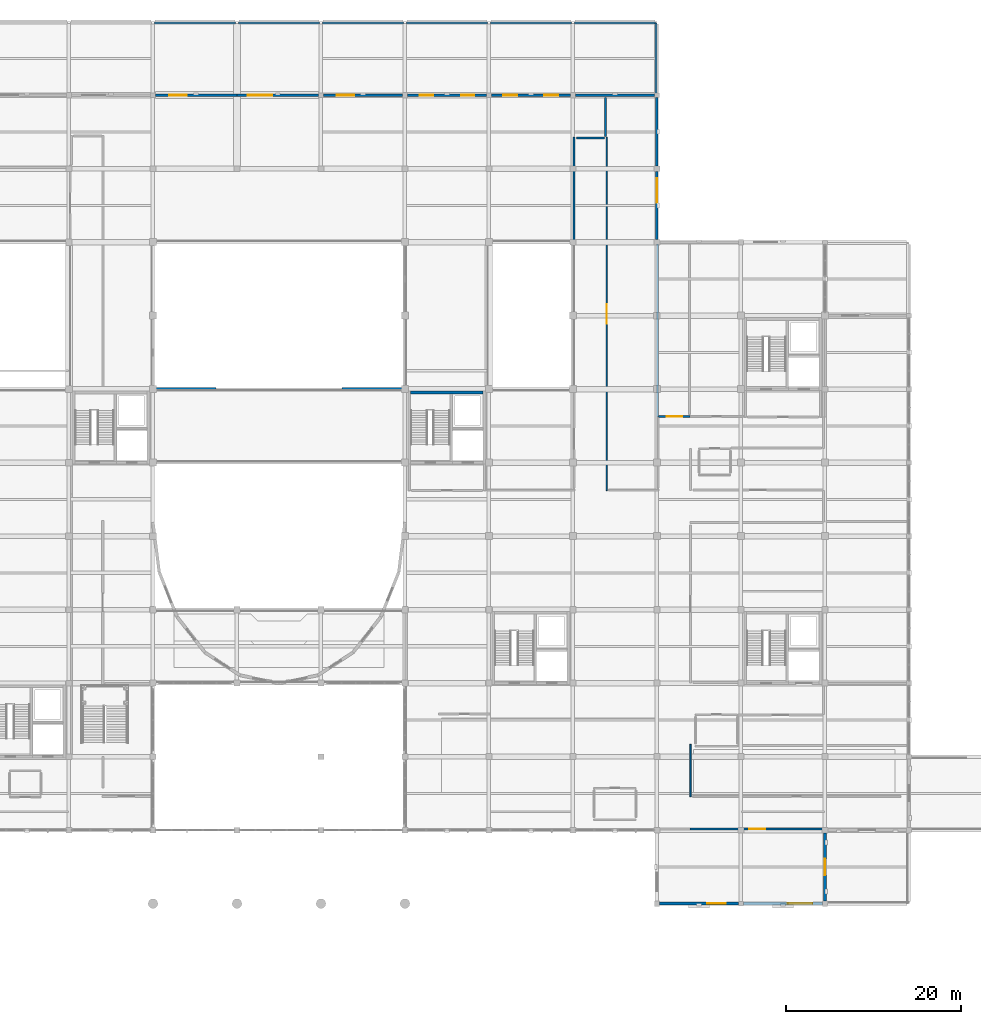
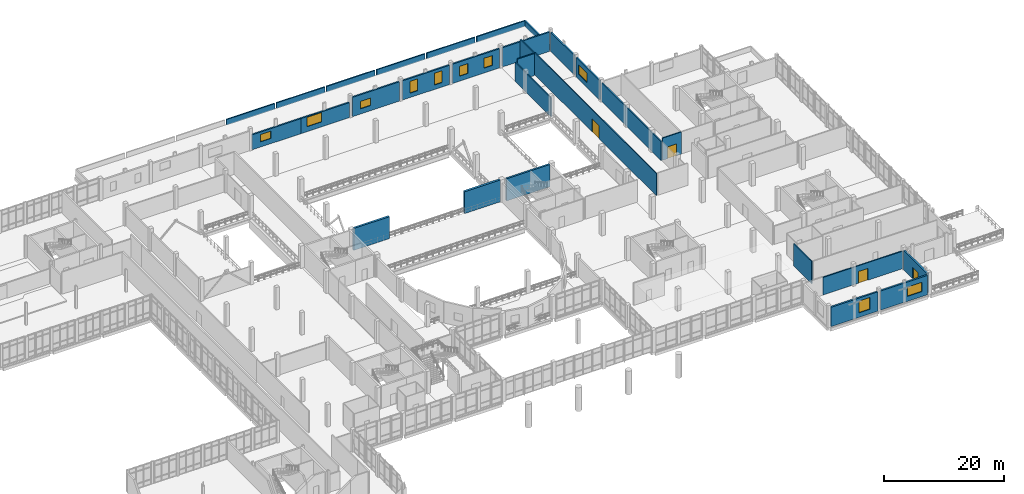
# One storey, part 92 of 102: 29 walls, 10 windows, 4 doors, 14 openings.
"""IFC4 building model written with IfcOpenShell, lengths in metres."""

from ifc_helpers import new_model, si_unit, direction, frame, frame_2d, origin, place, context, subcontext, project, spatial, rectangle, extrude, material, layer, layer_set, type_object, element, fill, save


model = new_model("IFC4")

# Units and contexts
model_context = context("Model", 3, precision=1e-05, world=origin(), true_north=direction((0.0, 1.0)))
body_context = subcontext(model_context, "Body", "Model", "MODEL_VIEW")
ifc_project = project(units=[si_unit("LENGTHUNIT", "METRE"), si_unit("AREAUNIT", "SQUARE_METRE"), si_unit("VOLUMEUNIT", "CUBIC_METRE"), si_unit("PLANEANGLEUNIT", "RADIAN"), si_unit("MASSUNIT", "GRAM", prefix="KILO")], contexts=[model_context])

# Site, building, storey
site_placement = place(None, origin())
site = spatial("IfcSite", under=ifc_project, at=site_placement, CompositionType="ELEMENT")
building_placement = place(site_placement, origin())
building = spatial("IfcBuilding", under=site, at=building_placement, Name="Lornevale Opera House", CompositionType="ELEMENT")
storey_placement = place(building_placement, frame((0.0, 0.0, 5.39990234375)))
storey = spatial("IfcBuildingStorey", under=building, at=storey_placement, Name="L02", CompositionType="ELEMENT", Elevation=5.39990234375)

# Wall, opening, window
ifc_material_1 = material(Name="Queenston Buff Limestone Ashlar Masonry (25 MPa)", Category="masonry")
ifc_layer_1 = layer(ifc_material_1, 0.324951171875)
ifc_layer_set_1 = layer_set([ifc_layer_1], Name="Queenston Buff Limestone Ashlar Masonry (25 MPa)")
wall_type_1 = type_object("IfcWallType", Name="Backstage Limestone Facade Wall 325", PredefinedType="SOLIDWALL", material=ifc_layer_set_1)
wall_1_placement = place(storey_placement, frame((134.125, 8.39990234375, 0.0), z_axis=(0.0, 0.0, 1.0), x_axis=(-1.0, 0.0, 0.0)))
wall_1 = element("IfcWall", 1, at=wall_1_placement, inside=storey, type_object=wall_type_1, Name="Backstage Limestone Facade Wall 325 WL-EXT-0209", PredefinedType="SOLIDWALL", context=body_context, shape_type="SweptSolid", body=[
    extrude(rectangle(XDim=9.02490234375, YDim=0.324951171875, at=frame_2d((4.512451171875, 0.0))), origin(), (0.0, 0.0, 1.0), 3.91015625),
])
opening_1_placement = place(wall_1_placement, frame((1.47705078125, 0.0, 0.89990234375)))
opening_1 = element("IfcOpeningElement", 2, at=opening_1_placement, cuts=wall_1, Name="Opening WN-T04", PredefinedType="OPENING", context=body_context, shape_type="SweptSolid", body=[
    extrude(rectangle(XDim=2.10009765625, YDim=2.39990234375, at=frame_2d((1.050048828125, 1.199951171875))), frame((0.0, 0.17236328125, 0.0), z_axis=(0.0, -1.0, 0.0), x_axis=(1.0, 0.0, 0.0)), (0.0, 0.0, 1.0), 0.344970703125),
])
ifc_material_2 = material(Name="Triple Low-E Insulated Glazing", Category="glass")
ifc_layer_2 = layer(ifc_material_2, 0.06005859375)
ifc_layer_set_2 = layer_set([ifc_layer_2], Name="Triple Low-E Insulated Glazing")
window_type_1 = type_object("IfcWindowType", Name="Punched Deep-Reveal Window 2100x2400", PartitioningType="NOTDEFINED", PredefinedType="WINDOW", material=ifc_layer_set_2)
window_1_placement = place(opening_1_placement, origin())
window_1 = element("IfcWindow", 3, at=window_1_placement, inside=storey, type_object=window_type_1, Name="Punched Deep-Reveal Window 2100x2400 WN-0056", OverallHeight=2.39990234375, OverallWidth=2.10009765625, PartitioningType="SINGLE_PANEL", PredefinedType="WINDOW", context=body_context, shape_type="SweptSolid", body=[
    extrude(rectangle(XDim=2.10009765625, YDim=2.39990234375, at=frame_2d((1.050048828125, 1.199951171875))), frame((0.0, 0.030029296875, 0.0), z_axis=(0.0, -1.0, 0.0), x_axis=(1.0, 0.0, 0.0)), (0.0, 0.0, 1.0), 0.06005859375),
])
fill(opening_1, window_1)

wall_2_placement = place(storey_placement, frame((143.699951171875, 8.39990234375, 0.0), z_axis=(0.0, 0.0, 1.0), x_axis=(-1.0, 0.0, 0.0)))
wall_2 = element("IfcWall", 4, at=wall_2_placement, inside=storey, type_object=wall_type_1, Name="Backstage Limestone Facade Wall 325 WL-EXT-0212", PredefinedType="SOLIDWALL", context=body_context, shape_type="SweptSolid", body=[
    extrude(rectangle(XDim=9.02490234375, YDim=0.324951171875, at=frame_2d((4.512451171875, 0.0))), origin(), (0.0, 0.0, 1.0), 3.91015625),
])
opening_2_placement = place(wall_2_placement, frame((1.126953125, 0.0, 1.0)))
opening_2 = element("IfcOpeningElement", 5, at=opening_2_placement, cuts=wall_2, Name="Opening WN-T09", PredefinedType="OPENING", context=body_context, shape_type="SweptSolid", body=[
    extrude(rectangle(XDim=2.800048828125, YDim=1.89990234375, at=frame_2d((1.39990234375, 0.949951171875))), frame((0.0, 0.17236328125, 0.0), z_axis=(0.0, -1.0, 0.0), x_axis=(1.0, 0.0, 0.0)), (0.0, 0.0, 1.0), 0.344970703125),
])
ifc_layer_3 = layer(ifc_material_2, 0.06005859375)
ifc_layer_set_3 = layer_set([ifc_layer_3], Name="Triple Low-E Insulated Glazing")
window_type_2 = type_object("IfcWindowType", Name="Administration Ribbon Window 2800x1900", PartitioningType="NOTDEFINED", PredefinedType="WINDOW", material=ifc_layer_set_3)
window_2_placement = place(opening_2_placement, origin())
window_2 = element("IfcWindow", 6, at=window_2_placement, inside=storey, type_object=window_type_2, Name="Administration Ribbon Window 2800x1900 WN-0058", OverallHeight=1.89990234375, OverallWidth=2.800048828125, PartitioningType="SINGLE_PANEL", PredefinedType="WINDOW", context=body_context, shape_type="SweptSolid", body=[
    extrude(rectangle(XDim=2.800048828125, YDim=1.89990234375, at=frame_2d((1.39990234375, 0.949951171875))), frame((0.0, 0.030029296875, 0.0), z_axis=(0.0, -1.0, 0.0), x_axis=(1.0, 0.0, 0.0)), (0.0, 0.0, 1.0), 0.06005859375),
])
fill(opening_2, window_2)

# Wall, opening, door
wall_3_placement = place(storey_placement, frame((144.0, 16.47509765625, 0.0), z_axis=(0.0, 0.0, 1.0), x_axis=(0.0, -1.0, 0.0)))
wall_3 = element("IfcWall", 7, at=wall_3_placement, inside=storey, type_object=wall_type_1, Name="Backstage Limestone Facade Wall 325 WL-EXT-0213", PredefinedType="SOLIDWALL", context=body_context, shape_type="SweptSolid", body=[
    extrude(rectangle(XDim=7.775146484375, YDim=0.324951171875, at=frame_2d((3.8876953125, 0.0))), origin(), (0.0, 0.0, 1.0), 3.91015625),
])
opening_3_placement = place(wall_3_placement, frame((2.962890625, 0.0, 0.0)))
opening_3 = element("IfcOpeningElement", 8, at=opening_3_placement, cuts=wall_3, Name="Opening DR-T03", PredefinedType="OPENING", context=body_context, shape_type="SweptSolid", body=[
    extrude(rectangle(XDim=1.85009765625, YDim=2.300048828125, at=frame_2d((0.925048828125, 1.14990234375))), frame((0.0, 0.17236328125, 0.0), z_axis=(0.0, -1.0, 0.0), x_axis=(1.0, 0.0, 0.0)), (0.0, 0.0, 1.0), 0.344970703125),
])
ifc_material_3 = material(Name="Anodized Oxide-Green Aluminium Framing", Category="aluminium")
ifc_layer_4 = layer(ifc_material_3, 0.050048828125)
ifc_layer_set_4 = layer_set([ifc_layer_4], Name="Anodized Oxide-Green Aluminium Framing")
door_type_1 = type_object("IfcDoorType", Name="Escarpment Terrace Double Door 1850x2300", OperationType="NOTDEFINED", PredefinedType="DOOR", material=ifc_layer_set_4)
door_1_placement = place(opening_3_placement, origin())
door_1 = element("IfcDoor", 9, at=door_1_placement, inside=storey, type_object=door_type_1, Name="Escarpment Terrace Double Door 1850x2300 DR-EXT-036", OperationType="DOUBLE_DOOR_SINGLE_SWING", OverallHeight=2.300048828125, OverallWidth=1.85009765625, PredefinedType="DOOR", context=body_context, shape_type="SweptSolid", body=[
    extrude(rectangle(XDim=1.85009765625, YDim=2.300048828125, at=frame_2d((0.925048828125, 1.14990234375))), frame((0.0, 0.02490234375, 0.0), z_axis=(0.0, -1.0, 0.0), x_axis=(1.0, 0.0, 0.0)), (0.0, 0.0, 1.0), 0.050048828125),
])
fill(opening_3, door_1)

# Wall
ifc_material_4 = material(Name="Concrete 40 MPa (CSA A23.1 C-1)", Category="concrete")
ifc_layer_5 = layer(ifc_material_4, 0.320068359375)
ifc_layer_set_5 = layer_set([ifc_layer_5], Name="Concrete 40 MPa (CSA A23.1 C-1)")
wall_type_2 = type_object("IfcWallType", Name="Core Shear Wall 320", PredefinedType="SHEAR", material=ifc_layer_set_5)
wall_4_placement = place(storey_placement, frame((104.93994140625, 66.840087890625, 0.0), z_axis=(0.0, 0.0, 1.0), x_axis=(-1.0, 0.0, 0.0)))
element("IfcWall", 10, at=wall_4_placement, inside=storey, type_object=wall_type_2, Name="Stagehouse Firefighter Core West Core Shear Wall 320 WL-COR-0220", PredefinedType="SHEAR", context=body_context, shape_type="SweptSolid", body=[
    extrude(rectangle(XDim=8.280029296875, YDim=0.320068359375, at=frame_2d((4.14013671875, 0.0))), origin(), (0.0, 0.0, 1.0), 4.52001953125),
])

# Wall, opening, door
ifc_material_5 = material(Name="Acoustic Mineral-Core Gypsum Partition", Category="gypsum")
ifc_layer_6 = layer(ifc_material_5, 0.1650390625)
ifc_layer_set_6 = layer_set([ifc_layer_6], Name="Acoustic Mineral-Core Gypsum Partition")
wall_type_3 = type_object("IfcWallType", Name="Corridor Rated Partition 165", PredefinedType="PARTITIONING", material=ifc_layer_set_6)
wall_5_placement = place(storey_placement, frame((119.06005859375, 55.60009765625, 0.0), z_axis=(0.0, 0.0, 1.0), x_axis=(0.0, 1.0, 0.0)))
wall_5 = element("IfcWall", 11, at=wall_5_placement, inside=storey, type_object=wall_type_3, Name="L02 Partition WL-INT-0776", PredefinedType="PARTITIONING", context=body_context, shape_type="SweptSolid", body=[
    extrude(rectangle(XDim=40.39990234375, YDim=0.1650390625, at=frame_2d((20.199951171875, 0.0))), origin(), (0.0, 0.0, 1.0), 4.47998046875),
])
opening_4_placement = place(wall_5_placement, frame((19.10009765625, 0.0, 0.0)))
opening_4 = element("IfcOpeningElement", 12, at=opening_4_placement, cuts=wall_5, Name="Opening DR-T17", PredefinedType="OPENING", context=body_context, shape_type="SweptSolid", body=[
    extrude(rectangle(XDim=2.199951171875, YDim=2.60009765625, at=frame_2d((1.10009765625, 1.300048828125))), frame((0.0, 0.092529296875, 0.0), z_axis=(0.0, -1.0, 0.0), x_axis=(1.0, 0.0, 0.0)), (0.0, 0.0, 1.0), 0.18505859375),
])
ifc_material_6 = material(Name="Painted Hollow Metal Door Steel", Category="steel")
ifc_layer_7 = layer(ifc_material_6, 2.60009765625)
ifc_layer_set_7 = layer_set([ifc_layer_7], Name="Painted Hollow Metal Door Steel")
door_type_2 = type_object("IfcDoorType", Name="Workshop Acoustic Pair 2200x2600", OperationType="NOTDEFINED", PredefinedType="DOOR", material=ifc_layer_set_7)
door_2_placement = place(opening_4_placement, origin())
door_2 = element("IfcDoor", 13, at=door_2_placement, inside=storey, type_object=door_type_2, Name="Paint Frame Workshop Gallery Door", OperationType="DOUBLE_SWING_LEFT", OverallHeight=2.60009765625, OverallWidth=2.199951171875, PredefinedType="DOOR", context=body_context, shape_type="SweptSolid", body=[
    extrude(rectangle(XDim=2.199951171875, YDim=2.60009765625, at=frame_2d((1.10009765625, 1.300048828125))), frame((0.0, 0.02490234375, 0.0), z_axis=(0.0, -1.0, 0.0), x_axis=(1.0, 0.0, 0.0)), (0.0, 0.0, 1.0), 0.050048828125),
])
fill(opening_4, door_2)

# Walls
wall_6_placement = place(storey_placement, frame((128.659912109375, 20.60009765625, 0.0), z_axis=(0.0, 0.0, 1.0), x_axis=(0.0, 1.0, 0.0)))
element("IfcWall", 14, at=wall_6_placement, inside=storey, type_object=wall_type_3, Name="L02 Partition WL-INT-0779", PredefinedType="PARTITIONING", context=body_context, shape_type="SweptSolid", body=[
    extrude(rectangle(XDim=6.0, YDim=0.1650390625, at=frame_2d((3.0, 0.0))), origin(), (0.0, 0.0, 1.0), 4.47998046875),
])
ifc_layer_8 = layer(ifc_material_4, 0.39990234375)
ifc_layer_set_8 = layer_set([ifc_layer_8], Name="Concrete 40 MPa (CSA A23.1 C-1)")
wall_type_4 = type_object("IfcWallType", Name="Proscenium Fire Wall 400", PredefinedType="SOLIDWALL", material=ifc_layer_set_8)
for number, where, z_axis, x_axis, name in (
    (15, (67.550048828125, 67.199951171875, 0.0), (0.0, 0.0, 1.0), (1.0, 0.0, 0.0), "Proscenium Fire Wall L02 0368"),
    (16, (88.800048828125, 67.199951171875, 0.0), (0.0, 0.0, 1.0), (1.0, 0.0, 0.0), "Proscenium Fire Wall L02 0369"),
):
    element("IfcWall", number, at=place(storey_placement, frame(where, z_axis=z_axis, x_axis=x_axis)), inside=storey, type_object=wall_type_4, Name=name, PredefinedType="SOLIDWALL", context=body_context, shape_type="SweptSolid", body=[
        extrude(rectangle(XDim=6.849853515625, YDim=0.39990234375, at=frame_2d((3.4248046875, 0.0))), origin(), (0.0, 0.0, 1.0), 4.440185546875),
    ])
ifc_layer_9 = layer(ifc_material_5, 0.22998046875)
ifc_layer_set_9 = layer_set([ifc_layer_9], Name="Acoustic Mineral-Core Gypsum Partition")
wall_type_5 = type_object("IfcWallType", Name="Rehearsal Studio Acoustic Wall 230", PredefinedType="SOLIDWALL", material=ifc_layer_set_9)
wall_7_placement = place(storey_placement, frame((115.340087890625, 84.091064453125, 0.0), z_axis=(0.0, 0.0, 1.0), x_axis=(0.0, 1.0, 0.0)))
element("IfcWall", 17, at=wall_7_placement, inside=storey, type_object=wall_type_5, Name="L02 Partition WL-INT-0785", PredefinedType="SOLIDWALL", context=body_context, shape_type="SweptSolid", body=[
    extrude(rectangle(XDim=11.908935546875, YDim=0.22998046875, at=frame_2d((5.95458984375, 0.0))), origin(), (0.0, 0.0, 1.0), 3.81005859375),
])
wall_8_placement = place(storey_placement, frame((115.590087890625, 95.93994140625, 0.0), z_axis=(0.0, 0.0, 1.0), x_axis=(1.0, 0.0, 0.0)))
element("IfcWall", 18, at=wall_8_placement, inside=storey, type_object=wall_type_5, Name="L02 Partition WL-INT-0786", PredefinedType="SOLIDWALL", context=body_context, shape_type="SweptSolid", body=[
    extrude(rectangle(XDim=3.219970703125, YDim=0.22998046875, at=frame_2d((1.60986328125, 0.0))), origin(), (0.0, 0.0, 1.0), 4.47998046875),
])

# Wall, opening, door
wall_9_placement = place(storey_placement, frame((128.60009765625, 16.93994140625, 0.0), z_axis=(0.0, 0.0, 1.0), x_axis=(1.0, 0.0, 0.0)))
wall_9 = element("IfcWall", 19, at=wall_9_placement, inside=storey, type_object=wall_type_5, Name="L02 Partition WL-INT-0792", PredefinedType="SOLIDWALL", context=body_context, shape_type="SweptSolid", body=[
    extrude(rectangle(XDim=15.308837890625, YDim=0.22998046875, at=frame_2d((7.654296875, 0.0))), origin(), (0.0, 0.0, 1.0), 3.56005859375),
])
opening_5_placement = place(wall_9_placement, frame((6.75390625, 0.0, 0.0)))
opening_5 = element("IfcOpeningElement", 20, at=opening_5_placement, cuts=wall_9, Name="Opening DR-T18", PredefinedType="OPENING", context=body_context, shape_type="SweptSolid", body=[
    extrude(rectangle(XDim=1.800048828125, YDim=2.39990234375, at=frame_2d((0.89990234375, 1.199951171875))), frame((0.0, 0.125, 0.0), z_axis=(0.0, -1.0, 0.0), x_axis=(1.0, 0.0, 0.0)), (0.0, 0.0, 1.0), 0.25),
])
ifc_material_7 = material(Name="White Oak Acoustic Panelling", Category="wood")
ifc_layer_10 = layer(ifc_material_7, 2.39990234375)
ifc_layer_set_10 = layer_set([ifc_layer_10], Name="White Oak Acoustic Panelling")
door_type_3 = type_object("IfcDoorType", Name="Rehearsal Studio Pair 1800x2400", OperationType="NOTDEFINED", PredefinedType="DOOR", material=ifc_layer_set_10)
door_3_placement = place(opening_5_placement, origin())
door_3 = element("IfcDoor", 21, at=door_3_placement, inside=storey, type_object=door_type_3, Name="Artist Ensemble Rehearsal Lounge Door", OperationType="DOUBLE_SWING_LEFT", OverallHeight=2.39990234375, OverallWidth=1.800048828125, PredefinedType="DOOR", context=body_context, shape_type="SweptSolid", body=[
    extrude(rectangle(XDim=1.800048828125, YDim=2.39990234375, at=frame_2d((0.89990234375, 1.199951171875))), frame((0.0, 0.02490234375, 0.0), z_axis=(0.0, -1.0, 0.0), x_axis=(1.0, 0.0, 0.0)), (0.0, 0.0, 1.0), 0.050048828125),
])
fill(opening_5, door_3)

wall_10_placement = place(storey_placement, frame((125.0, 64.06005859375, 0.0), z_axis=(0.0, 0.0, 1.0), x_axis=(1.0, 0.0, 0.0)))
wall_10 = element("IfcWall", 22, at=wall_10_placement, inside=storey, type_object=wall_type_5, Name="L02 Partition WL-INT-0796", PredefinedType="SOLIDWALL", context=body_context, shape_type="SweptSolid", body=[
    extrude(rectangle(XDim=3.60009765625, YDim=0.22998046875, at=frame_2d((1.800048828125, 0.0))), origin(), (0.0, 0.0, 1.0), 4.47998046875),
])
opening_6_placement = place(wall_10_placement, frame((0.89990234375, 0.0, 0.0)))
opening_6 = element("IfcOpeningElement", 23, at=opening_6_placement, cuts=wall_10, Name="Opening DR-T18", PredefinedType="OPENING", context=body_context, shape_type="SweptSolid", body=[
    extrude(rectangle(XDim=1.800048828125, YDim=2.39990234375, at=frame_2d((0.89990234375, 1.199951171875))), frame((0.0, 0.125, 0.0), z_axis=(0.0, -1.0, 0.0), x_axis=(1.0, 0.0, 0.0)), (0.0, 0.0, 1.0), 0.25),
])
door_4_placement = place(opening_6_placement, origin())
door_4 = element("IfcDoor", 24, at=door_4_placement, inside=storey, type_object=door_type_3, Name="Artist Ensemble Rehearsal Lounge Door", OperationType="DOUBLE_SWING_LEFT", OverallHeight=2.39990234375, OverallWidth=1.800048828125, PredefinedType="DOOR", context=body_context, shape_type="SweptSolid", body=[
    extrude(rectangle(XDim=1.800048828125, YDim=2.39990234375, at=frame_2d((0.89990234375, 1.199951171875))), frame((0.0, 0.02490234375, 0.0), z_axis=(0.0, -1.0, 0.0), x_axis=(1.0, 0.0, 0.0)), (0.0, 0.0, 1.0), 0.050048828125),
])
fill(opening_6, door_4)

# Walls
wall_11_placement = place(storey_placement, frame((118.93994140625, 96.06005859375, 0.0), z_axis=(0.0, 0.0, 1.0), x_axis=(0.0, 1.0, 0.0)))
element("IfcWall", 25, at=wall_11_placement, inside=storey, type_object=wall_type_5, Name="L02 Partition WL-INT-0808", PredefinedType="SOLIDWALL", context=body_context, shape_type="SweptSolid", body=[
    extrude(rectangle(XDim=4.489990234375, YDim=0.22998046875, at=frame_2d((2.2451171875, 0.0))), origin(), (0.0, 0.0, 1.0), 4.47998046875),
])
wall_12_placement = place(storey_placement, frame((124.860107421875, 64.0, 0.0), z_axis=(0.0, 0.0, 1.0), x_axis=(0.0, 1.0, 0.0)))
element("IfcWall", 26, at=wall_12_placement, inside=storey, type_object=wall_type_5, Name="L02 Partition WL-INT-0809", PredefinedType="SOLIDWALL", context=body_context, shape_type="SweptSolid", body=[
    extrude(rectangle(XDim=19.780029296875, YDim=0.22998046875, at=frame_2d((9.89013671875, 0.0))), origin(), (0.0, 0.0, 1.0), 3.81005859375),
])
ifc_layer_11 = layer(ifc_material_1, 0.239990234375)
ifc_layer_set_11 = layer_set([ifc_layer_11], Name="Queenston Buff Limestone Ashlar Masonry (25 MPa)")
wall_type_6 = type_object("IfcWallType", Name="Stone Coped Parapet Wall 240", PredefinedType="PARAPET", material=ifc_layer_set_11)
wall_13_placement = place(storey_placement, frame((67.360107421875, 109.070068359375, 0.0), z_axis=(0.0, 0.0, 1.0), x_axis=(1.0, 0.0, 0.0)))
element("IfcWall", 27, at=wall_13_placement, inside=storey, type_object=wall_type_6, Name="Stone Coped Parapet Wall 240 0389", PredefinedType="PARAPET", context=body_context, shape_type="SweptSolid", body=[
    extrude(rectangle(XDim=9.27978515625, YDim=0.239990234375, at=frame_2d((4.639892578125, 0.0))), origin(), (0.0, 0.0, 1.0), 1.150146484375),
])
for number, where, z_axis, x_axis, name in (
    (28, (76.9599609375, 109.070068359375, 0.0), (0.0, 0.0, 1.0), (1.0, 0.0, 0.0), "Stone Coped Parapet Wall 240 0390"),
    (29, (86.56005859375, 109.070068359375, 0.0), (0.0, 0.0, 1.0), (1.0, 0.0, 0.0), "Stone Coped Parapet Wall 240 0391"),
    (30, (96.159912109375, 109.070068359375, 0.0), (0.0, 0.0, 1.0), (1.0, 0.0, 0.0), "Stone Coped Parapet Wall 240 0392"),
    (31, (105.760009765625, 109.070068359375, 0.0), (0.0, 0.0, 1.0), (1.0, 0.0, 0.0), "Stone Coped Parapet Wall 240 0393"),
):
    element("IfcWall", number, at=place(storey_placement, frame(where, z_axis=z_axis, x_axis=x_axis)), inside=storey, type_object=wall_type_6, Name=name, PredefinedType="PARAPET", context=body_context, shape_type="SweptSolid", body=[
        extrude(rectangle(XDim=9.280029296875, YDim=0.239990234375, at=frame_2d((4.64013671875, 0.0))), origin(), (0.0, 0.0, 1.0), 1.150146484375),
    ])
wall_14_placement = place(storey_placement, frame((115.360107421875, 109.070068359375, 0.0), z_axis=(0.0, 0.0, 1.0), x_axis=(1.0, 0.0, 0.0)))
element("IfcWall", 32, at=wall_14_placement, inside=storey, type_object=wall_type_6, Name="Stone Coped Parapet Wall 240 0394", PredefinedType="PARAPET", context=body_context, shape_type="SweptSolid", body=[
    extrude(rectangle(XDim=9.27978515625, YDim=0.239990234375, at=frame_2d((4.639892578125, 0.0))), origin(), (0.0, 0.0, 1.0), 1.150146484375),
])
wall_15_placement = place(storey_placement, frame((124.669921875, 109.0400390625, 0.0), z_axis=(0.0, 0.0, 1.0), x_axis=(0.0, -1.0, 0.0)))
element("IfcWall", 33, at=wall_15_placement, inside=storey, type_object=wall_type_6, Name="Stone Coped Parapet Wall 240 0395", PredefinedType="PARAPET", context=body_context, shape_type="SweptSolid", body=[
    extrude(rectangle(XDim=8.080078125, YDim=0.239990234375, at=frame_2d((4.0400390625, 0.0))), origin(), (0.0, 0.0, 1.0), 1.150146484375),
])

# Wall, opening, window
ifc_material_8 = material(Name="Precast Concrete 40 MPa (CSA A23.1 C-1)", Category="concrete")
ifc_layer_12 = layer(ifc_material_8, 0.2900390625)
ifc_layer_set_12 = layer_set([ifc_layer_12], Name="Precast Concrete 40 MPa (CSA A23.1 C-1)")
wall_type_7 = type_object("IfcWallType", Name="Workshop Insulated Precast Wall 290", PredefinedType="SOLIDWALL", material=ifc_layer_set_12)
wall_16_placement = place(storey_placement, frame((67.47509765625, 100.800048828125, 0.0), z_axis=(0.0, 0.0, 1.0), x_axis=(1.0, 0.0, 0.0)))
wall_16 = element("IfcWall", 34, at=wall_16_placement, inside=storey, type_object=wall_type_7, Name="Workshop Insulated Precast Wall 290 WL-EXT-0201", PredefinedType="SOLIDWALL", context=body_context, shape_type="SweptSolid", body=[
    extrude(rectangle(XDim=9.31982421875, YDim=0.2900390625, at=frame_2d((4.659912109375, 0.0))), origin(), (0.0, 0.0, 1.0), 3.06005859375),
])
opening_7_placement = place(wall_16_placement, frame((1.610107421875, 0.0, 1.050048828125)))
opening_7 = element("IfcOpeningElement", 35, at=opening_7_placement, cuts=wall_16, Name="Opening WN-T11", PredefinedType="OPENING", context=body_context, shape_type="SweptSolid", body=[
    extrude(rectangle(XDim=2.0, YDim=1.5, at=frame_2d((1.0, 0.75))), frame((0.0, 0.155029296875, 0.0), z_axis=(0.0, -1.0, 0.0), x_axis=(1.0, 0.0, 0.0)), (0.0, 0.0, 1.0), 0.31005859375),
])
ifc_layer_13 = layer(ifc_material_2, 0.06005859375)
ifc_layer_set_13 = layer_set([ifc_layer_13], Name="Triple Low-E Insulated Glazing")
window_type_3 = type_object("IfcWindowType", Name="Workshop Operable Window 2000x1500", PartitioningType="NOTDEFINED", PredefinedType="WINDOW", material=ifc_layer_set_13)
window_3_placement = place(opening_7_placement, origin())
window_3 = element("IfcWindow", 36, at=window_3_placement, inside=storey, type_object=window_type_3, Name="Workshop Operable Window 2000x1500 WN-0048", OverallHeight=1.5, OverallWidth=2.0, PartitioningType="SINGLE_PANEL", PredefinedType="WINDOW", context=body_context, shape_type="SweptSolid", body=[
    extrude(rectangle(XDim=2.0, YDim=1.5, at=frame_2d((1.0, 0.75))), frame((0.0, 0.030029296875, 0.0), z_axis=(0.0, -1.0, 0.0), x_axis=(1.0, 0.0, 0.0)), (0.0, 0.0, 1.0), 0.06005859375),
])
fill(opening_7, window_3)

wall_17_placement = place(storey_placement, frame((76.804931640625, 100.800048828125, 0.0), z_axis=(0.0, 0.0, 1.0), x_axis=(1.0, 0.0, 0.0)))
wall_17 = element("IfcWall", 37, at=wall_17_placement, inside=storey, type_object=wall_type_7, Name="Workshop Insulated Precast Wall 290 WL-EXT-0202", PredefinedType="SOLIDWALL", context=body_context, shape_type="SweptSolid", body=[
    extrude(rectangle(XDim=9.320068359375, YDim=0.2900390625, at=frame_2d((4.66015625, 0.0))), origin(), (0.0, 0.0, 1.0), 3.06005859375),
])
opening_8_placement = place(wall_17_placement, frame((1.2099609375, 0.0, 1.0)))
opening_8 = element("IfcOpeningElement", 38, at=opening_8_placement, cuts=wall_17, Name="Opening WN-T09", PredefinedType="OPENING", context=body_context, shape_type="SweptSolid", body=[
    extrude(rectangle(XDim=2.800048828125, YDim=1.89990234375, at=frame_2d((1.39990234375, 0.949951171875))), frame((0.0, 0.155029296875, 0.0), z_axis=(0.0, -1.0, 0.0), x_axis=(1.0, 0.0, 0.0)), (0.0, 0.0, 1.0), 0.31005859375),
])
window_4_placement = place(opening_8_placement, origin())
window_4 = element("IfcWindow", 39, at=window_4_placement, inside=storey, type_object=window_type_2, Name="Administration Ribbon Window 2800x1900 WN-0049", OverallHeight=1.89990234375, OverallWidth=2.800048828125, PartitioningType="SINGLE_PANEL", PredefinedType="WINDOW", context=body_context, shape_type="SweptSolid", body=[
    extrude(rectangle(XDim=2.800048828125, YDim=1.89990234375, at=frame_2d((1.39990234375, 0.949951171875))), frame((0.0, 0.030029296875, 0.0), z_axis=(0.0, -1.0, 0.0), x_axis=(1.0, 0.0, 0.0)), (0.0, 0.0, 1.0), 0.06005859375),
])
fill(opening_8, window_4)

wall_18_placement = place(storey_placement, frame((86.675048828125, 100.800048828125, 0.0), z_axis=(0.0, 0.0, 1.0), x_axis=(1.0, 0.0, 0.0)))
wall_18 = element("IfcWall", 40, at=wall_18_placement, inside=storey, type_object=wall_type_7, Name="Workshop Insulated Precast Wall 290 WL-EXT-0203", PredefinedType="SOLIDWALL", context=body_context, shape_type="SweptSolid", body=[
    extrude(rectangle(XDim=9.02490234375, YDim=0.2900390625, at=frame_2d((4.512451171875, 0.0))), origin(), (0.0, 0.0, 1.0), 3.91015625),
])
opening_9_placement = place(wall_18_placement, frame((1.527099609375, 0.0, 1.050048828125)))
opening_9 = element("IfcOpeningElement", 41, at=opening_9_placement, cuts=wall_18, Name="Opening WN-T11", PredefinedType="OPENING", context=body_context, shape_type="SweptSolid", body=[
    extrude(rectangle(XDim=2.0, YDim=1.5, at=frame_2d((1.0, 0.75))), frame((0.0, 0.155029296875, 0.0), z_axis=(0.0, -1.0, 0.0), x_axis=(1.0, 0.0, 0.0)), (0.0, 0.0, 1.0), 0.31005859375),
])
window_5_placement = place(opening_9_placement, origin())
window_5 = element("IfcWindow", 42, at=window_5_placement, inside=storey, type_object=window_type_3, Name="Workshop Operable Window 2000x1500 WN-0050", OverallHeight=1.5, OverallWidth=2.0, PartitioningType="SINGLE_PANEL", PredefinedType="WINDOW", context=body_context, shape_type="SweptSolid", body=[
    extrude(rectangle(XDim=2.0, YDim=1.5, at=frame_2d((1.0, 0.75))), frame((0.0, 0.030029296875, 0.0), z_axis=(0.0, -1.0, 0.0), x_axis=(1.0, 0.0, 0.0)), (0.0, 0.0, 1.0), 0.06005859375),
])
fill(opening_9, window_5)

# Wall, openings, windows
wall_19_placement = place(storey_placement, frame((96.300048828125, 100.800048828125, 0.0), z_axis=(0.0, 0.0, 1.0), x_axis=(1.0, 0.0, 0.0)))
wall_19 = element("IfcWall", 43, at=wall_19_placement, inside=storey, type_object=wall_type_7, Name="Workshop Insulated Precast Wall 290 WL-EXT-0204", PredefinedType="SOLIDWALL", context=body_context, shape_type="SweptSolid", body=[
    extrude(rectangle(XDim=9.02490234375, YDim=0.2900390625, at=frame_2d((4.512451171875, 0.0))), origin(), (0.0, 0.0, 1.0), 3.91015625),
])
opening_10_placement = place(wall_19_placement, frame((1.416015625, 0.0, 0.89990234375)))
opening_10 = element("IfcOpeningElement", 44, at=opening_10_placement, cuts=wall_19, Name="Opening WN-T02", PredefinedType="OPENING", context=body_context, shape_type="SweptSolid", body=[
    extrude(rectangle(XDim=1.5, YDim=2.39990234375, at=frame_2d((0.75, 1.199951171875))), frame((0.0, 0.155029296875, 0.0), z_axis=(0.0, -1.0, 0.0), x_axis=(1.0, 0.0, 0.0)), (0.0, 0.0, 1.0), 0.31005859375),
])
opening_11_placement = place(wall_19_placement, frame((6.10888671875, 0.0, 0.89990234375)))
opening_11 = element("IfcOpeningElement", 45, at=opening_11_placement, cuts=wall_19, Name="Opening WN-T02", PredefinedType="OPENING", context=body_context, shape_type="SweptSolid", body=[
    extrude(rectangle(XDim=1.5, YDim=2.39990234375, at=frame_2d((0.75, 1.199951171875))), frame((0.0, 0.155029296875, 0.0), z_axis=(0.0, -1.0, 0.0), x_axis=(1.0, 0.0, 0.0)), (0.0, 0.0, 1.0), 0.31005859375),
])
ifc_layer_14 = layer(ifc_material_2, 0.06005859375)
ifc_layer_set_14 = layer_set([ifc_layer_14], Name="Triple Low-E Insulated Glazing")
window_type_4 = type_object("IfcWindowType", Name="Punched Deep-Reveal Window 1500x2400", PartitioningType="NOTDEFINED", PredefinedType="WINDOW", material=ifc_layer_set_14)
window_6_placement = place(opening_10_placement, origin())
window_6 = element("IfcWindow", 46, at=window_6_placement, inside=storey, type_object=window_type_4, Name="Punched Deep-Reveal Window 1500x2400 WN-0051", OverallHeight=2.39990234375, OverallWidth=1.5, PartitioningType="SINGLE_PANEL", PredefinedType="WINDOW", context=body_context, shape_type="SweptSolid", body=[
    extrude(rectangle(XDim=1.5, YDim=2.39990234375, at=frame_2d((0.75, 1.199951171875))), frame((0.0, 0.030029296875, 0.0), z_axis=(0.0, -1.0, 0.0), x_axis=(1.0, 0.0, 0.0)), (0.0, 0.0, 1.0), 0.06005859375),
])
fill(opening_10, window_6)
window_7_placement = place(opening_11_placement, origin())
window_7 = element("IfcWindow", 47, at=window_7_placement, inside=storey, type_object=window_type_4, Name="Punched Deep-Reveal Window 1500x2400 WN-0052", OverallHeight=2.39990234375, OverallWidth=1.5, PartitioningType="SINGLE_PANEL", PredefinedType="WINDOW", context=body_context, shape_type="SweptSolid", body=[
    extrude(rectangle(XDim=1.5, YDim=2.39990234375, at=frame_2d((0.75, 1.199951171875))), frame((0.0, 0.030029296875, 0.0), z_axis=(0.0, -1.0, 0.0), x_axis=(1.0, 0.0, 0.0)), (0.0, 0.0, 1.0), 0.06005859375),
])
fill(opening_11, window_7)

wall_20_placement = place(storey_placement, frame((105.875, 100.800048828125, 0.0), z_axis=(0.0, 0.0, 1.0), x_axis=(1.0, 0.0, 0.0)))
wall_20 = element("IfcWall", 48, at=wall_20_placement, inside=storey, type_object=wall_type_7, Name="Workshop Insulated Precast Wall 290 WL-EXT-0205", PredefinedType="SOLIDWALL", context=body_context, shape_type="SweptSolid", body=[
    extrude(rectangle(XDim=9.02490234375, YDim=0.2900390625, at=frame_2d((4.512451171875, 0.0))), origin(), (0.0, 0.0, 1.0), 3.91015625),
])
opening_12_placement = place(wall_20_placement, frame((1.365966796875, 0.0, 1.0)))
opening_12 = element("IfcOpeningElement", 49, at=opening_12_placement, cuts=wall_20, Name="Opening WN-T07", PredefinedType="OPENING", context=body_context, shape_type="SweptSolid", body=[
    extrude(rectangle(XDim=1.60009765625, YDim=2.0, at=frame_2d((0.800048828125, 1.0))), frame((0.0, 0.155029296875, 0.0), z_axis=(0.0, -1.0, 0.0), x_axis=(1.0, 0.0, 0.0)), (0.0, 0.0, 1.0), 0.31005859375),
])
opening_13_placement = place(wall_20_placement, frame((6.05908203125, 0.0, 1.0)))
opening_13 = element("IfcOpeningElement", 50, at=opening_13_placement, cuts=wall_20, Name="Opening WN-T07", PredefinedType="OPENING", context=body_context, shape_type="SweptSolid", body=[
    extrude(rectangle(XDim=1.60009765625, YDim=2.0, at=frame_2d((0.800048828125, 1.0))), frame((0.0, 0.155029296875, 0.0), z_axis=(0.0, -1.0, 0.0), x_axis=(1.0, 0.0, 0.0)), (0.0, 0.0, 1.0), 0.31005859375),
])
ifc_layer_15 = layer(ifc_material_2, 0.06005859375)
ifc_layer_set_15 = layer_set([ifc_layer_15], Name="Triple Low-E Insulated Glazing")
window_type_5 = type_object("IfcWindowType", Name="Practice Studio Acoustic Window 1600x2000", PartitioningType="NOTDEFINED", PredefinedType="WINDOW", material=ifc_layer_set_15)
window_8_placement = place(opening_12_placement, origin())
window_8 = element("IfcWindow", 51, at=window_8_placement, inside=storey, type_object=window_type_5, Name="Practice Studio Acoustic Window 1600x2000 WN-0053", OverallHeight=2.0, OverallWidth=1.60009765625, PartitioningType="SINGLE_PANEL", PredefinedType="WINDOW", context=body_context, shape_type="SweptSolid", body=[
    extrude(rectangle(XDim=1.60009765625, YDim=2.0, at=frame_2d((0.800048828125, 1.0))), frame((0.0, 0.030029296875, 0.0), z_axis=(0.0, -1.0, 0.0), x_axis=(1.0, 0.0, 0.0)), (0.0, 0.0, 1.0), 0.06005859375),
])
fill(opening_12, window_8)
window_9_placement = place(opening_13_placement, origin())
window_9 = element("IfcWindow", 52, at=window_9_placement, inside=storey, type_object=window_type_5, Name="Practice Studio Acoustic Window 1600x2000 WN-0054", OverallHeight=2.0, OverallWidth=1.60009765625, PartitioningType="SINGLE_PANEL", PredefinedType="WINDOW", context=body_context, shape_type="SweptSolid", body=[
    extrude(rectangle(XDim=1.60009765625, YDim=2.0, at=frame_2d((0.800048828125, 1.0))), frame((0.0, 0.030029296875, 0.0), z_axis=(0.0, -1.0, 0.0), x_axis=(1.0, 0.0, 0.0)), (0.0, 0.0, 1.0), 0.06005859375),
])
fill(opening_13, window_9)

# Wall, opening, window
wall_21_placement = place(storey_placement, frame((124.800048828125, 92.074951171875, 0.0), z_axis=(0.0, 0.0, 1.0), x_axis=(0.0, -1.0, 0.0)))
wall_21 = element("IfcWall", 53, at=wall_21_placement, inside=storey, type_object=wall_type_7, Name="Workshop Insulated Precast Wall 290 WL-EXT-0206", PredefinedType="SOLIDWALL", context=body_context, shape_type="SweptSolid", body=[
    extrude(rectangle(XDim=7.75, YDim=0.2900390625, at=frame_2d((3.875, 0.0))), origin(), (0.0, 0.0, 1.0), 3.91015625),
])
opening_14_placement = place(wall_21_placement, frame((0.77001953125, 0.0, 1.0)))
opening_14 = element("IfcOpeningElement", 54, at=opening_14_placement, cuts=wall_21, Name="Opening WN-T09", PredefinedType="OPENING", context=body_context, shape_type="SweptSolid", body=[
    extrude(rectangle(XDim=2.800048828125, YDim=1.89990234375, at=frame_2d((1.39990234375, 0.949951171875))), frame((0.0, 0.155029296875, 0.0), z_axis=(0.0, -1.0, 0.0), x_axis=(1.0, 0.0, 0.0)), (0.0, 0.0, 1.0), 0.31005859375),
])
window_10_placement = place(opening_14_placement, origin())
window_10 = element("IfcWindow", 55, at=window_10_placement, inside=storey, type_object=window_type_2, Name="Administration Ribbon Window 2800x1900 WN-0055", OverallHeight=1.89990234375, OverallWidth=2.800048828125, PartitioningType="SINGLE_PANEL", PredefinedType="WINDOW", context=body_context, shape_type="SweptSolid", body=[
    extrude(rectangle(XDim=2.800048828125, YDim=1.89990234375, at=frame_2d((1.39990234375, 0.949951171875))), frame((0.0, 0.030029296875, 0.0), z_axis=(0.0, -1.0, 0.0), x_axis=(1.0, 0.0, 0.0)), (0.0, 0.0, 1.0), 0.06005859375),
])
fill(opening_14, window_10)

# Walls
wall_22_placement = place(storey_placement, frame((115.5, 100.800048828125, 0.0), z_axis=(0.0, 0.0, 1.0), x_axis=(1.0, 0.0, 0.0)))
element("IfcWall", 56, at=wall_22_placement, inside=storey, type_object=wall_type_7, Name="Workshop Insulated Precast Wall 290 WL-EXT-0207", PredefinedType="SOLIDWALL", context=body_context, shape_type="SweptSolid", body=[
    extrude(rectangle(XDim=9.02490234375, YDim=0.2900390625, at=frame_2d((4.512451171875, 0.0))), origin(), (0.0, 0.0, 1.0), 3.91015625),
])
wall_23_placement = place(storey_placement, frame((124.800048828125, 100.52490234375, 0.0), z_axis=(0.0, 0.0, 1.0), x_axis=(0.0, -1.0, 0.0)))
element("IfcWall", 57, at=wall_23_placement, inside=storey, type_object=wall_type_7, Name="Workshop Insulated Precast Wall 290 WL-EXT-0208", PredefinedType="SOLIDWALL", context=body_context, shape_type="SweptSolid", body=[
    extrude(rectangle(XDim=7.7998046875, YDim=0.2900390625, at=frame_2d((3.89990234375, 0.0))), origin(), (0.0, 0.0, 1.0), 3.91015625),
])

save(model, "model.ifc")
